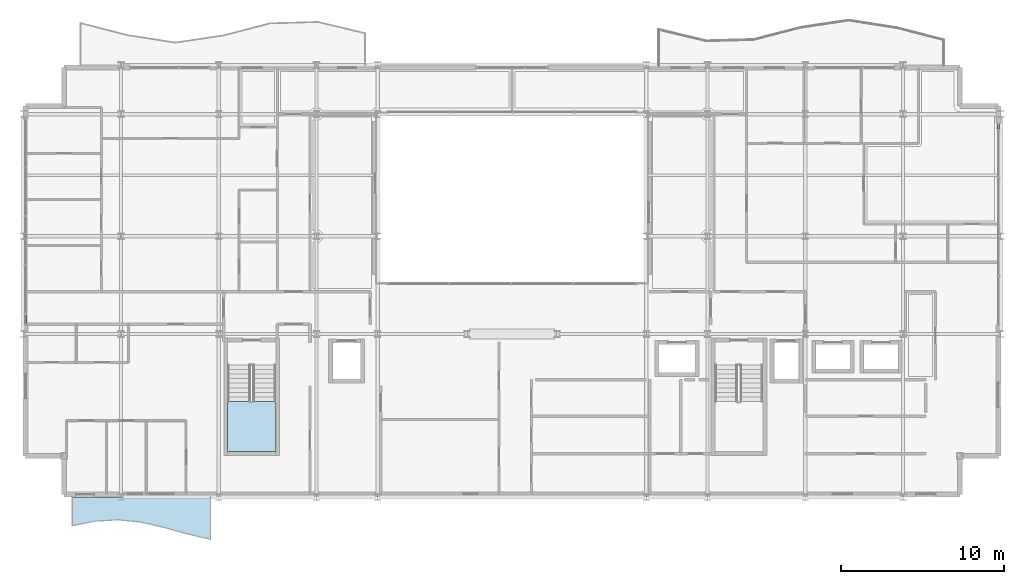
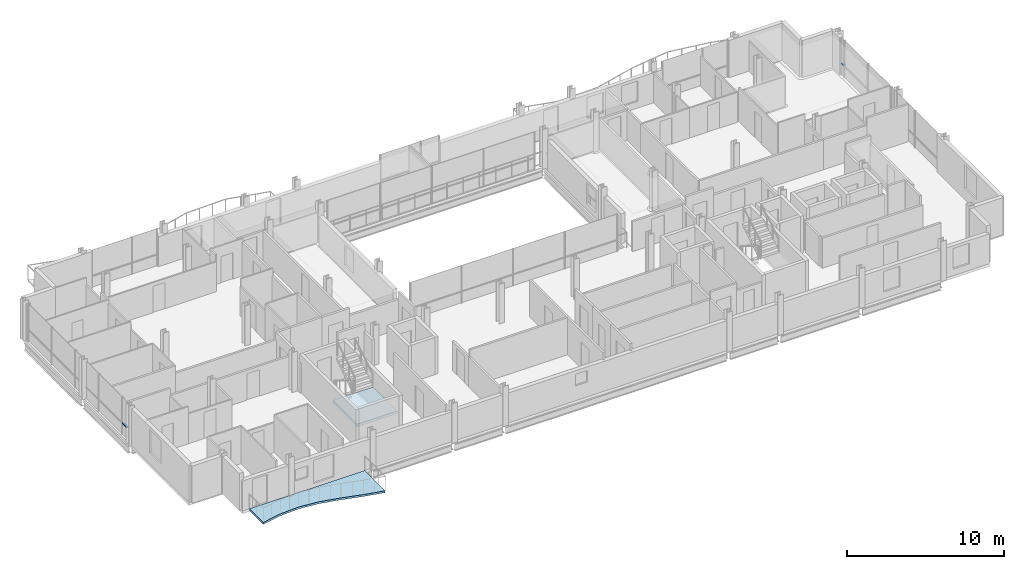
# One storey, part 24 of 35: 2 members, 2 slabs, 3 elements without a shape of their own.
"""IFC4 building model written with IfcOpenShell, lengths in metres."""

from ifc_helpers import new_model, si_unit, direction, frame, origin, origin_2d, place, context, subcontext, project, spatial, polyline, hollow_rectangle, outline, extrude, material, layer, layer_set, material_profile, profile_set, type_object, element, aggregate, save


model = new_model("IFC4")

# Units and contexts
model_context = context("Model", 3, precision=1e-05, world=origin(), true_north=direction((0.0, 1.0)))
body_context = subcontext(model_context, "Body", "Model", "MODEL_VIEW")
ifc_project = project(units=[si_unit("LENGTHUNIT", "METRE"), si_unit("AREAUNIT", "SQUARE_METRE"), si_unit("VOLUMEUNIT", "CUBIC_METRE"), si_unit("PLANEANGLEUNIT", "RADIAN"), si_unit("MASSUNIT", "GRAM", prefix="KILO")], contexts=[model_context])

# Site, building, storey
site_placement = place(None, origin())
site = spatial("IfcSite", under=ifc_project, at=site_placement, CompositionType="ELEMENT")
building_placement = place(site_placement, origin())
building = spatial("IfcBuilding", under=site, at=building_placement, Name="Brevholm Reach", CompositionType="ELEMENT")
storey_placement = place(building_placement, frame((0.0, 0.0, 183.199951171875)))
storey = spatial("IfcBuildingStorey", under=building, at=storey_placement, Name="L55", CompositionType="ELEMENT", Elevation=183.199951171875)

# Curtain wall, member
ifc_material_1 = material(Name="Dark Anodised Aluminium 6063-T6 and Solar-Control Glass", Category="aluminium")
ifc_layer_1 = layer(ifc_material_1, 0.14990234375)
ifc_layer_set_1 = layer_set([ifc_layer_1], Name="Dark Anodised Aluminium 6063-T6 and Solar-Control Glass")
curtain_wall_type = type_object("IfcCurtainWallType", Name="CW-01", PredefinedType="NOTDEFINED", material=ifc_layer_set_1)
curtain_wall_1_placement = place(storey_placement, origin())
curtain_wall_1 = element("IfcCurtainWall", 1, at=curtain_wall_1_placement, inside=storey, type_object=curtain_wall_type, Name="L55 Curtain Wall CW-01", PredefinedType="NOTDEFINED")
ifc_material_2 = material(Name="Dark Anodised Aluminium 6063-T6", Category="aluminium")
ifc_material_profile = material_profile(ifc_material_2, hollow_rectangle(XDim=0.06494140625, YDim=0.14990234375, WallThickness=0.0048828125, InnerFilletRadius=0.0048828125, OuterFilletRadius=0.010009765625, at=origin_2d()), Name="RHS 150x65x5")
ifc_profile_set = profile_set([ifc_material_profile], Name="Dark Anodised Aluminium 6063-T6")
member_type = type_object("IfcMemberType", Name="CWT-150", PredefinedType="NOTDEFINED", material=ifc_profile_set)
member_1_placement = place(storey_placement, frame((0.14990234375, 11.1875, 0.900146484375), z_axis=(0.0, -1.0, 0.0), x_axis=(0.0, 0.0, 1.0)))
member_1 = element("IfcMember", 2, at=member_1_placement, type_object=member_type, Name="CT-150 Transom 5.1", ObjectType="TRANSOM", PredefinedType="USERDEFINED", context=body_context, shape_type="SweptSolid", body=[
    extrude(hollow_rectangle(XDim=0.06494140625, YDim=0.14990234375, WallThickness=0.0048828125, InnerFilletRadius=0.0048828125, OuterFilletRadius=0.010009765625, at=origin_2d()), origin(), (0.0, 0.0, 1.0), 0.572509765625),
])
aggregate(curtain_wall_1, [member_1])

curtain_wall_2_placement = place(storey_placement, origin())
curtain_wall_2 = element("IfcCurtainWall", 3, at=curtain_wall_2_placement, inside=storey, type_object=curtain_wall_type, Name="L55 Curtain Wall CW-01", PredefinedType="NOTDEFINED")
member_2_placement = place(storey_placement, frame((59.85009765625, 22.58251953125, 0.900146484375), z_axis=(0.0, 1.0, 0.0), x_axis=(0.0, 0.0, 1.0)))
member_2 = element("IfcMember", 4, at=member_2_placement, type_object=member_type, Name="CT-150 Transom 5.1", ObjectType="TRANSOM", PredefinedType="USERDEFINED", context=body_context, shape_type="SweptSolid", body=[
    extrude(hollow_rectangle(XDim=0.06494140625, YDim=0.14990234375, WallThickness=0.0048828125, InnerFilletRadius=0.0048828125, OuterFilletRadius=0.010009765625, at=origin_2d()), origin(), (0.0, 0.0, 1.0), 0.302490234375),
])
aggregate(curtain_wall_2, [member_2])

# Slab
ifc_material_3 = material(Name="Precast Concrete C45/55", Category="concrete")
ifc_layer_2 = layer(ifc_material_3, 0.14990234375)
ifc_layer_set_2 = layer_set([ifc_layer_2], Name="Precast Concrete C45/55")
slab_type_1 = type_object("IfcSlabType", Name="SLB-BAL-150", PredefinedType="FLOOR", material=ifc_layer_set_2)
slab_1_placement = place(storey_placement, frame((0.0, 0.0, -0.14990234375)))
element("IfcSlab", 5, at=slab_1_placement, inside=storey, type_object=slab_type_1, Name="L55 Rippling External Balcony SW", PredefinedType="FLOOR", context=body_context, shape_type="SweptSolid", body=[
    extrude(outline(polyline([(3.0, -1.7685546875), (4.416748046875, -1.484619140625), (5.833251953125, -1.402587890625), (7.25, -1.55029296875), (8.666748046875, -1.877685546875), (10.083251953125, -2.2724609375), (11.5, -2.599609375), (11.5, 0.0), (3.0, 0.0), (3.0, -1.7685546875)])), origin(), (0.0, 0.0, 1.0), 0.14990234375),
])

# Stair, slab
ifc_material_4 = material(Name="Precast Concrete C40/50", Category="concrete")
stair_type = type_object("IfcStairType", Name="STR-ESC-1400", PredefinedType="DOUBLE_RETURN_STAIR", material=ifc_material_4)
stair_placement = place(storey_placement, origin())
stair = element("IfcStair", 6, at=stair_placement, inside=storey, type_object=stair_type, Name="L55 ST-1", PredefinedType="DOUBLE_RETURN_STAIR")
ifc_material_5 = material(Name="Concrete C40/50", Category="concrete")
ifc_layer_3 = layer(ifc_material_5, 0.199951171875)
ifc_layer_set_3 = layer_set([ifc_layer_3], Name="Concrete C40/50")
slab_type_2 = type_object("IfcSlabType", Name="SLB-LND-200", PredefinedType="LANDING", material=ifc_layer_set_3)
slab_2_placement = place(storey_placement, frame((0.0, 0.0, 1.35009765625)))
slab_2 = element("IfcSlab", 7, at=slab_2_placement, type_object=slab_type_2, Name="ST-1 landing 1", PredefinedType="LANDING", context=body_context, shape_type="SweptSolid", body=[
    extrude(outline(polyline([(12.550048828125, 5.860107421875), (12.550048828125, 2.780029296875), (15.5, 2.780029296875), (15.5, 5.860107421875), (12.550048828125, 5.860107421875)])), origin(), (0.0, 0.0, 1.0), 0.199951171875),
])
aggregate(stair, [slab_2])

save(model, "model.ifc")
